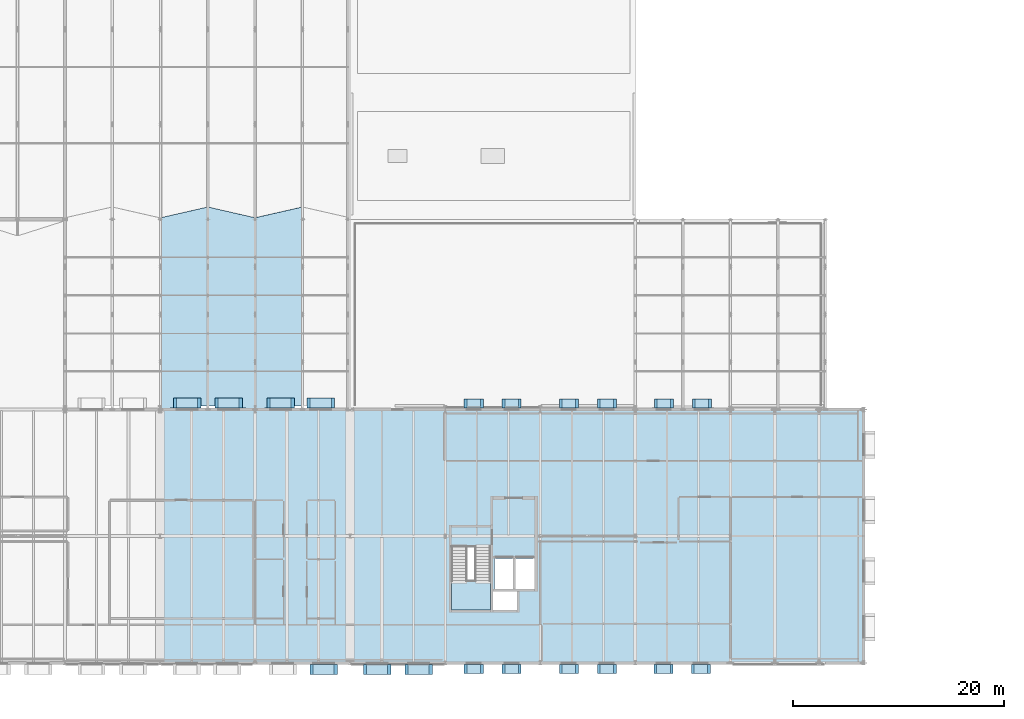
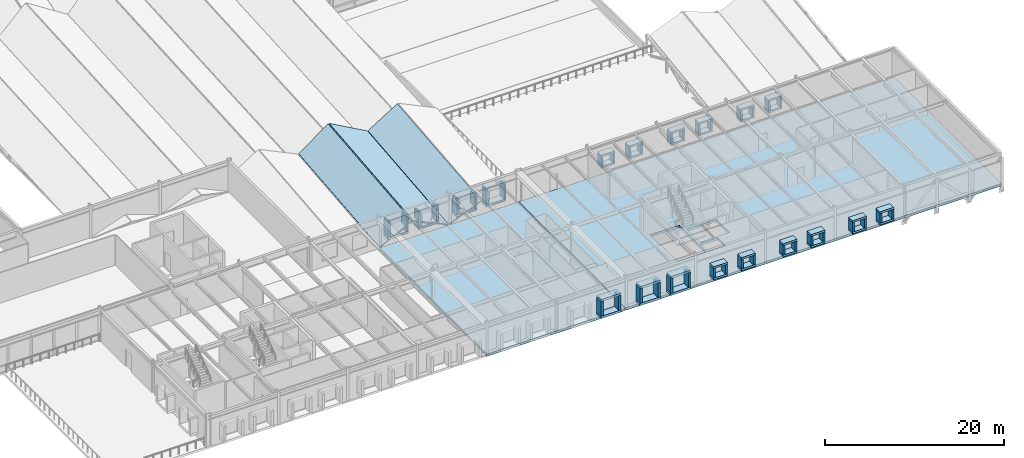
# One storey, part 104 of 142: 76 plates, 6 slabs, 2 elements without a shape of their own.
"""IFC4 building model written with IfcOpenShell, lengths in metres."""

from ifc_helpers import new_model, si_unit, direction, frame, origin, origin_2d, place, context, subcontext, project, spatial, polyline, rectangle, outline, extrude, material, layer, layer_set, type_object, element, aggregate, save


model = new_model("IFC4")

# Units and contexts
model_context = context("Model", 3, precision=1e-05, world=origin(), true_north=direction((0.0, 1.0)))
body_context = subcontext(model_context, "Body", "Model", "MODEL_VIEW")
ifc_project = project(units=[si_unit("LENGTHUNIT", "METRE"), si_unit("AREAUNIT", "SQUARE_METRE"), si_unit("VOLUMEUNIT", "CUBIC_METRE"), si_unit("PLANEANGLEUNIT", "RADIAN"), si_unit("MASSUNIT", "GRAM", prefix="KILO")], contexts=[model_context])

# Site, building, storey
site_placement = place(None, origin())
site = spatial("IfcSite", under=ifc_project, at=site_placement, CompositionType="ELEMENT")
building_placement = place(site_placement, origin())
building = spatial("IfcBuilding", under=site, at=building_placement, Name="Montelvaro Courts of Justice", CompositionType="ELEMENT")
storey_placement = place(building_placement, frame((0.0, 0.0, 14.39990234375)))
storey = spatial("IfcBuildingStorey", under=building, at=storey_placement, Name="L03", CompositionType="ELEMENT", Elevation=14.39990234375)

# Slabs
ifc_material_1 = material(Name="Concrete C35/45", Category="concrete")
ifc_layer_1 = layer(ifc_material_1, 0.320068359375)
ifc_layer_set_1 = layer_set([ifc_layer_1], Name="Concrete C35/45")
slab_type_1 = type_object("IfcSlabType", Name="FloorSlab_V5_320", PredefinedType="FLOOR", material=ifc_layer_set_1)
slab_1_placement = place(storey_placement, frame((0.0, 0.0, -0.31982421875)))
element("IfcSlab", 1, at=slab_1_placement, inside=storey, type_object=slab_type_1, Name="Structural Slab SF-05 L03", PredefinedType="FLOOR", context=body_context, shape_type="SweptSolid", body=[
    extrude(outline(polyline([(81.050048828125, 0.0), (98.949951171875, 0.0), (98.949951171875, 24.0), (81.050048828125, 24.0), (81.050048828125, 0.0)])), origin(), (0.0, 0.0, 1.0), 0.31982421875),
])
slab_2_placement = place(storey_placement, frame((0.0, 0.0, -0.31982421875)))
element("IfcSlab", 2, at=slab_2_placement, inside=storey, type_object=slab_type_1, Name="Structural Slab SF-05 L03", PredefinedType="FLOOR", context=body_context, shape_type="SweptSolid", body=[
    extrude(outline(polyline([(99.050048828125, 0.0), (147.60009765625, 0.0), (147.60009765625, 24.0), (99.050048828125, 24.0), (99.050048828125, 0.0)]), holes=[polyline([(108.60009765625, 5.0), (112.300048828125, 5.0), (112.300048828125, 11.0), (108.60009765625, 11.0), (108.60009765625, 5.0)]), polyline([(112.5400390625, 5.0), (114.800048828125, 5.0), (114.800048828125, 6.760009765625), (112.5400390625, 6.760009765625), (112.5400390625, 5.0)]), polyline([(112.64990234375, 7.0), (114.5, 7.0), (114.5, 9.89990234375), (112.64990234375, 9.89990234375), (112.64990234375, 7.0)]), polyline([(114.60009765625, 7.0), (116.449951171875, 7.0), (116.449951171875, 9.89990234375), (114.60009765625, 9.89990234375), (114.60009765625, 7.0)])]), origin(), (0.0, 0.0, 1.0), 0.31982421875),
])

# Plates
ifc_material_2 = material(Name="White mineral precast concrete C45/55", Category="concrete")
ifc_layer_2 = layer(ifc_material_2, 0.25)
ifc_layer_set_2 = layer_set([ifc_layer_2], Name="White mineral precast concrete C45/55")
plate_type_1 = type_object("IfcPlateType", Name="PrecastSquareFrame_250x850", PredefinedType="SHEET", material=ifc_layer_set_2)
for number, where, z_axis, x_axis, name in (
    (3, (110.702880859375, -0.570068359375, 2.2001953125), (0.0, 0.0, 1.0), (1.0, 0.0, 0.0), "Graduated Square Window Frame PF-03 W-L03-171 TOP"),
    (4, (110.702880859375, -0.570068359375, 0.650146484375), (0.0, 0.0, 1.0), (1.0, 0.0, 0.0), "Graduated Square Window Frame PF-03 W-L03-171 BOT"),
):
    element("IfcPlate", number, at=place(storey_placement, frame(where, z_axis=z_axis, x_axis=x_axis)), inside=storey, type_object=plate_type_1, Name=name, PredefinedType="SHEET", context=body_context, shape_type="SweptSolid", body=[
        extrude(rectangle(XDim=1.800048828125, YDim=0.860107421875, at=origin_2d()), origin(), (0.0, 0.0, 1.0), 0.25),
    ])
for number, where, z_axis, x_axis, name in (
    (5, (109.927978515625, -0.570068359375, 0.89990234375), (0.0, 0.0, 1.0), (1.0, 0.0, 0.0), "Graduated Square Window Frame PF-03 W-L03-171 L"),
    (6, (111.47802734375, -0.570068359375, 0.89990234375), (0.0, 0.0, 1.0), (1.0, 0.0, 0.0), "Graduated Square Window Frame PF-03 W-L03-171 R"),
):
    element("IfcPlate", number, at=place(storey_placement, frame(where, z_axis=z_axis, x_axis=x_axis)), inside=storey, type_object=plate_type_1, Name=name, PredefinedType="SHEET", context=body_context, shape_type="SweptSolid", body=[
        extrude(rectangle(XDim=0.25, YDim=0.860107421875, at=origin_2d()), origin(), (0.0, 0.0, 1.0), 1.300048828125),
    ])
for number, where, z_axis, x_axis, name in (
    (7, (114.297119140625, -0.570068359375, 2.2001953125), (0.0, 0.0, 1.0), (1.0, 0.0, 0.0), "Graduated Square Window Frame PF-03 W-L03-172 TOP"),
    (8, (114.297119140625, -0.570068359375, 0.650146484375), (0.0, 0.0, 1.0), (1.0, 0.0, 0.0), "Graduated Square Window Frame PF-03 W-L03-172 BOT"),
):
    element("IfcPlate", number, at=place(storey_placement, frame(where, z_axis=z_axis, x_axis=x_axis)), inside=storey, type_object=plate_type_1, Name=name, PredefinedType="SHEET", context=body_context, shape_type="SweptSolid", body=[
        extrude(rectangle(XDim=1.800048828125, YDim=0.860107421875, at=origin_2d()), origin(), (0.0, 0.0, 1.0), 0.25),
    ])
for number, where, z_axis, x_axis, name in (
    (9, (113.52197265625, -0.570068359375, 0.89990234375), (0.0, 0.0, 1.0), (1.0, 0.0, 0.0), "Graduated Square Window Frame PF-03 W-L03-172 L"),
    (10, (115.072021484375, -0.570068359375, 0.89990234375), (0.0, 0.0, 1.0), (1.0, 0.0, 0.0), "Graduated Square Window Frame PF-03 W-L03-172 R"),
):
    element("IfcPlate", number, at=place(storey_placement, frame(where, z_axis=z_axis, x_axis=x_axis)), inside=storey, type_object=plate_type_1, Name=name, PredefinedType="SHEET", context=body_context, shape_type="SweptSolid", body=[
        extrude(rectangle(XDim=0.25, YDim=0.860107421875, at=origin_2d()), origin(), (0.0, 0.0, 1.0), 1.300048828125),
    ])
for number, where, z_axis, x_axis, name in (
    (11, (119.702880859375, -0.570068359375, 2.2001953125), (0.0, 0.0, 1.0), (1.0, 0.0, 0.0), "Graduated Square Window Frame PF-03 W-L03-173 TOP"),
    (12, (119.702880859375, -0.570068359375, 0.650146484375), (0.0, 0.0, 1.0), (1.0, 0.0, 0.0), "Graduated Square Window Frame PF-03 W-L03-173 BOT"),
):
    element("IfcPlate", number, at=place(storey_placement, frame(where, z_axis=z_axis, x_axis=x_axis)), inside=storey, type_object=plate_type_1, Name=name, PredefinedType="SHEET", context=body_context, shape_type="SweptSolid", body=[
        extrude(rectangle(XDim=1.800048828125, YDim=0.860107421875, at=origin_2d()), origin(), (0.0, 0.0, 1.0), 0.25),
    ])
for number, where, z_axis, x_axis, name in (
    (13, (118.927978515625, -0.570068359375, 0.89990234375), (0.0, 0.0, 1.0), (1.0, 0.0, 0.0), "Graduated Square Window Frame PF-03 W-L03-173 L"),
    (14, (120.47802734375, -0.570068359375, 0.89990234375), (0.0, 0.0, 1.0), (1.0, 0.0, 0.0), "Graduated Square Window Frame PF-03 W-L03-173 R"),
):
    element("IfcPlate", number, at=place(storey_placement, frame(where, z_axis=z_axis, x_axis=x_axis)), inside=storey, type_object=plate_type_1, Name=name, PredefinedType="SHEET", context=body_context, shape_type="SweptSolid", body=[
        extrude(rectangle(XDim=0.25, YDim=0.860107421875, at=origin_2d()), origin(), (0.0, 0.0, 1.0), 1.300048828125),
    ])
for number, where, z_axis, x_axis, name in (
    (15, (123.297119140625, -0.570068359375, 2.2001953125), (0.0, 0.0, 1.0), (1.0, 0.0, 0.0), "Graduated Square Window Frame PF-03 W-L03-174 TOP"),
    (16, (123.297119140625, -0.570068359375, 0.650146484375), (0.0, 0.0, 1.0), (1.0, 0.0, 0.0), "Graduated Square Window Frame PF-03 W-L03-174 BOT"),
):
    element("IfcPlate", number, at=place(storey_placement, frame(where, z_axis=z_axis, x_axis=x_axis)), inside=storey, type_object=plate_type_1, Name=name, PredefinedType="SHEET", context=body_context, shape_type="SweptSolid", body=[
        extrude(rectangle(XDim=1.800048828125, YDim=0.860107421875, at=origin_2d()), origin(), (0.0, 0.0, 1.0), 0.25),
    ])
for number, where, z_axis, x_axis, name in (
    (17, (122.52197265625, -0.570068359375, 0.89990234375), (0.0, 0.0, 1.0), (1.0, 0.0, 0.0), "Graduated Square Window Frame PF-03 W-L03-174 L"),
    (18, (124.072021484375, -0.570068359375, 0.89990234375), (0.0, 0.0, 1.0), (1.0, 0.0, 0.0), "Graduated Square Window Frame PF-03 W-L03-174 R"),
):
    element("IfcPlate", number, at=place(storey_placement, frame(where, z_axis=z_axis, x_axis=x_axis)), inside=storey, type_object=plate_type_1, Name=name, PredefinedType="SHEET", context=body_context, shape_type="SweptSolid", body=[
        extrude(rectangle(XDim=0.25, YDim=0.860107421875, at=origin_2d()), origin(), (0.0, 0.0, 1.0), 1.300048828125),
    ])
for number, where, z_axis, x_axis, name in (
    (19, (128.660888671875, -0.570068359375, 2.2001953125), (0.0, 0.0, 1.0), (1.0, 0.0, 0.0), "Graduated Square Window Frame PF-03 W-L03-175 TOP"),
    (20, (128.660888671875, -0.570068359375, 0.650146484375), (0.0, 0.0, 1.0), (1.0, 0.0, 0.0), "Graduated Square Window Frame PF-03 W-L03-175 BOT"),
):
    element("IfcPlate", number, at=place(storey_placement, frame(where, z_axis=z_axis, x_axis=x_axis)), inside=storey, type_object=plate_type_1, Name=name, PredefinedType="SHEET", context=body_context, shape_type="SweptSolid", body=[
        extrude(rectangle(XDim=1.800048828125, YDim=0.860107421875, at=origin_2d()), origin(), (0.0, 0.0, 1.0), 0.25),
    ])
for number, where, z_axis, x_axis, name in (
    (21, (127.885986328125, -0.570068359375, 0.89990234375), (0.0, 0.0, 1.0), (1.0, 0.0, 0.0), "Graduated Square Window Frame PF-03 W-L03-175 L"),
    (22, (129.43603515625, -0.570068359375, 0.89990234375), (0.0, 0.0, 1.0), (1.0, 0.0, 0.0), "Graduated Square Window Frame PF-03 W-L03-175 R"),
):
    element("IfcPlate", number, at=place(storey_placement, frame(where, z_axis=z_axis, x_axis=x_axis)), inside=storey, type_object=plate_type_1, Name=name, PredefinedType="SHEET", context=body_context, shape_type="SweptSolid", body=[
        extrude(rectangle(XDim=0.25, YDim=0.860107421875, at=origin_2d()), origin(), (0.0, 0.0, 1.0), 1.300048828125),
    ])
for number, where, z_axis, x_axis, name in (
    (23, (132.198974609375, -0.570068359375, 2.2001953125), (0.0, 0.0, 1.0), (1.0, 0.0, 0.0), "Graduated Square Window Frame PF-03 W-L03-176 TOP"),
    (24, (132.198974609375, -0.570068359375, 0.650146484375), (0.0, 0.0, 1.0), (1.0, 0.0, 0.0), "Graduated Square Window Frame PF-03 W-L03-176 BOT"),
):
    element("IfcPlate", number, at=place(storey_placement, frame(where, z_axis=z_axis, x_axis=x_axis)), inside=storey, type_object=plate_type_1, Name=name, PredefinedType="SHEET", context=body_context, shape_type="SweptSolid", body=[
        extrude(rectangle(XDim=1.800048828125, YDim=0.860107421875, at=origin_2d()), origin(), (0.0, 0.0, 1.0), 0.25),
    ])
for number, where, z_axis, x_axis, name in (
    (25, (131.424072265625, -0.570068359375, 0.89990234375), (0.0, 0.0, 1.0), (1.0, 0.0, 0.0), "Graduated Square Window Frame PF-03 W-L03-176 L"),
    (26, (132.97412109375, -0.570068359375, 0.89990234375), (0.0, 0.0, 1.0), (1.0, 0.0, 0.0), "Graduated Square Window Frame PF-03 W-L03-176 R"),
):
    element("IfcPlate", number, at=place(storey_placement, frame(where, z_axis=z_axis, x_axis=x_axis)), inside=storey, type_object=plate_type_1, Name=name, PredefinedType="SHEET", context=body_context, shape_type="SweptSolid", body=[
        extrude(rectangle(XDim=0.25, YDim=0.860107421875, at=origin_2d()), origin(), (0.0, 0.0, 1.0), 1.300048828125),
    ])
for number, where, z_axis, x_axis, name in (
    (27, (132.297119140625, 24.570068359375, 2.2001953125), (0.0, 0.0, 1.0), (-1.0, 0.0, 0.0), "Graduated Square Window Frame PF-03 W-L03-181 TOP"),
    (28, (132.297119140625, 24.570068359375, 0.650146484375), (0.0, 0.0, 1.0), (-1.0, 0.0, 0.0), "Graduated Square Window Frame PF-03 W-L03-181 BOT"),
):
    element("IfcPlate", number, at=place(storey_placement, frame(where, z_axis=z_axis, x_axis=x_axis)), inside=storey, type_object=plate_type_1, Name=name, PredefinedType="SHEET", context=body_context, shape_type="SweptSolid", body=[
        extrude(rectangle(XDim=1.800048828125, YDim=0.860107421875, at=origin_2d()), origin(), (0.0, 0.0, 1.0), 0.25),
    ])
for number, where, z_axis, x_axis, name in (
    (29, (133.072021484375, 24.570068359375, 0.89990234375), (0.0, 0.0, 1.0), (-1.0, 0.0, 0.0), "Graduated Square Window Frame PF-03 W-L03-181 L"),
    (30, (131.52197265625, 24.570068359375, 0.89990234375), (0.0, 0.0, 1.0), (-1.0, 0.0, 0.0), "Graduated Square Window Frame PF-03 W-L03-181 R"),
):
    element("IfcPlate", number, at=place(storey_placement, frame(where, z_axis=z_axis, x_axis=x_axis)), inside=storey, type_object=plate_type_1, Name=name, PredefinedType="SHEET", context=body_context, shape_type="SweptSolid", body=[
        extrude(rectangle(XDim=0.25, YDim=0.860107421875, at=origin_2d()), origin(), (0.0, 0.0, 1.0), 1.300048828125),
    ])
for number, where, z_axis, x_axis, name in (
    (31, (128.702880859375, 24.570068359375, 2.2001953125), (0.0, 0.0, 1.0), (-1.0, 0.0, 0.0), "Graduated Square Window Frame PF-03 W-L03-182 TOP"),
    (32, (128.702880859375, 24.570068359375, 0.650146484375), (0.0, 0.0, 1.0), (-1.0, 0.0, 0.0), "Graduated Square Window Frame PF-03 W-L03-182 BOT"),
):
    element("IfcPlate", number, at=place(storey_placement, frame(where, z_axis=z_axis, x_axis=x_axis)), inside=storey, type_object=plate_type_1, Name=name, PredefinedType="SHEET", context=body_context, shape_type="SweptSolid", body=[
        extrude(rectangle(XDim=1.800048828125, YDim=0.860107421875, at=origin_2d()), origin(), (0.0, 0.0, 1.0), 0.25),
    ])
for number, where, z_axis, x_axis, name in (
    (33, (129.47802734375, 24.570068359375, 0.89990234375), (0.0, 0.0, 1.0), (-1.0, 0.0, 0.0), "Graduated Square Window Frame PF-03 W-L03-182 L"),
    (34, (127.927978515625, 24.570068359375, 0.89990234375), (0.0, 0.0, 1.0), (-1.0, 0.0, 0.0), "Graduated Square Window Frame PF-03 W-L03-182 R"),
):
    element("IfcPlate", number, at=place(storey_placement, frame(where, z_axis=z_axis, x_axis=x_axis)), inside=storey, type_object=plate_type_1, Name=name, PredefinedType="SHEET", context=body_context, shape_type="SweptSolid", body=[
        extrude(rectangle(XDim=0.25, YDim=0.860107421875, at=origin_2d()), origin(), (0.0, 0.0, 1.0), 1.300048828125),
    ])
for number, where, z_axis, x_axis, name in (
    (35, (123.297119140625, 24.570068359375, 2.2001953125), (0.0, 0.0, 1.0), (-1.0, 0.0, 0.0), "Graduated Square Window Frame PF-03 W-L03-183 TOP"),
    (36, (123.297119140625, 24.570068359375, 0.650146484375), (0.0, 0.0, 1.0), (-1.0, 0.0, 0.0), "Graduated Square Window Frame PF-03 W-L03-183 BOT"),
):
    element("IfcPlate", number, at=place(storey_placement, frame(where, z_axis=z_axis, x_axis=x_axis)), inside=storey, type_object=plate_type_1, Name=name, PredefinedType="SHEET", context=body_context, shape_type="SweptSolid", body=[
        extrude(rectangle(XDim=1.800048828125, YDim=0.860107421875, at=origin_2d()), origin(), (0.0, 0.0, 1.0), 0.25),
    ])
for number, where, z_axis, x_axis, name in (
    (37, (124.072021484375, 24.570068359375, 0.89990234375), (0.0, 0.0, 1.0), (-1.0, 0.0, 0.0), "Graduated Square Window Frame PF-03 W-L03-183 L"),
    (38, (122.52197265625, 24.570068359375, 0.89990234375), (0.0, 0.0, 1.0), (-1.0, 0.0, 0.0), "Graduated Square Window Frame PF-03 W-L03-183 R"),
):
    element("IfcPlate", number, at=place(storey_placement, frame(where, z_axis=z_axis, x_axis=x_axis)), inside=storey, type_object=plate_type_1, Name=name, PredefinedType="SHEET", context=body_context, shape_type="SweptSolid", body=[
        extrude(rectangle(XDim=0.25, YDim=0.860107421875, at=origin_2d()), origin(), (0.0, 0.0, 1.0), 1.300048828125),
    ])
for number, where, z_axis, x_axis, name in (
    (39, (119.702880859375, 24.570068359375, 2.2001953125), (0.0, 0.0, 1.0), (-1.0, 0.0, 0.0), "Graduated Square Window Frame PF-03 W-L03-184 TOP"),
    (40, (119.702880859375, 24.570068359375, 0.650146484375), (0.0, 0.0, 1.0), (-1.0, 0.0, 0.0), "Graduated Square Window Frame PF-03 W-L03-184 BOT"),
):
    element("IfcPlate", number, at=place(storey_placement, frame(where, z_axis=z_axis, x_axis=x_axis)), inside=storey, type_object=plate_type_1, Name=name, PredefinedType="SHEET", context=body_context, shape_type="SweptSolid", body=[
        extrude(rectangle(XDim=1.800048828125, YDim=0.860107421875, at=origin_2d()), origin(), (0.0, 0.0, 1.0), 0.25),
    ])
for number, where, z_axis, x_axis, name in (
    (41, (120.47802734375, 24.570068359375, 0.89990234375), (0.0, 0.0, 1.0), (-1.0, 0.0, 0.0), "Graduated Square Window Frame PF-03 W-L03-184 L"),
    (42, (118.927978515625, 24.570068359375, 0.89990234375), (0.0, 0.0, 1.0), (-1.0, 0.0, 0.0), "Graduated Square Window Frame PF-03 W-L03-184 R"),
):
    element("IfcPlate", number, at=place(storey_placement, frame(where, z_axis=z_axis, x_axis=x_axis)), inside=storey, type_object=plate_type_1, Name=name, PredefinedType="SHEET", context=body_context, shape_type="SweptSolid", body=[
        extrude(rectangle(XDim=0.25, YDim=0.860107421875, at=origin_2d()), origin(), (0.0, 0.0, 1.0), 1.300048828125),
    ])
for number, where, z_axis, x_axis, name in (
    (43, (114.297119140625, 24.570068359375, 2.2001953125), (0.0, 0.0, 1.0), (-1.0, 0.0, 0.0), "Graduated Square Window Frame PF-03 W-L03-185 TOP"),
    (44, (114.297119140625, 24.570068359375, 0.650146484375), (0.0, 0.0, 1.0), (-1.0, 0.0, 0.0), "Graduated Square Window Frame PF-03 W-L03-185 BOT"),
):
    element("IfcPlate", number, at=place(storey_placement, frame(where, z_axis=z_axis, x_axis=x_axis)), inside=storey, type_object=plate_type_1, Name=name, PredefinedType="SHEET", context=body_context, shape_type="SweptSolid", body=[
        extrude(rectangle(XDim=1.800048828125, YDim=0.860107421875, at=origin_2d()), origin(), (0.0, 0.0, 1.0), 0.25),
    ])
for number, where, z_axis, x_axis, name in (
    (45, (115.072021484375, 24.570068359375, 0.89990234375), (0.0, 0.0, 1.0), (-1.0, 0.0, 0.0), "Graduated Square Window Frame PF-03 W-L03-185 L"),
    (46, (113.52197265625, 24.570068359375, 0.89990234375), (0.0, 0.0, 1.0), (-1.0, 0.0, 0.0), "Graduated Square Window Frame PF-03 W-L03-185 R"),
):
    element("IfcPlate", number, at=place(storey_placement, frame(where, z_axis=z_axis, x_axis=x_axis)), inside=storey, type_object=plate_type_1, Name=name, PredefinedType="SHEET", context=body_context, shape_type="SweptSolid", body=[
        extrude(rectangle(XDim=0.25, YDim=0.860107421875, at=origin_2d()), origin(), (0.0, 0.0, 1.0), 1.300048828125),
    ])
for number, where, z_axis, x_axis, name in (
    (47, (110.702880859375, 24.570068359375, 2.2001953125), (0.0, 0.0, 1.0), (-1.0, 0.0, 0.0), "Graduated Square Window Frame PF-03 W-L03-186 TOP"),
    (48, (110.702880859375, 24.570068359375, 0.650146484375), (0.0, 0.0, 1.0), (-1.0, 0.0, 0.0), "Graduated Square Window Frame PF-03 W-L03-186 BOT"),
):
    element("IfcPlate", number, at=place(storey_placement, frame(where, z_axis=z_axis, x_axis=x_axis)), inside=storey, type_object=plate_type_1, Name=name, PredefinedType="SHEET", context=body_context, shape_type="SweptSolid", body=[
        extrude(rectangle(XDim=1.800048828125, YDim=0.860107421875, at=origin_2d()), origin(), (0.0, 0.0, 1.0), 0.25),
    ])
for number, where, z_axis, x_axis, name in (
    (49, (111.47802734375, 24.570068359375, 0.89990234375), (0.0, 0.0, 1.0), (-1.0, 0.0, 0.0), "Graduated Square Window Frame PF-03 W-L03-186 L"),
    (50, (109.927978515625, 24.570068359375, 0.89990234375), (0.0, 0.0, 1.0), (-1.0, 0.0, 0.0), "Graduated Square Window Frame PF-03 W-L03-186 R"),
):
    element("IfcPlate", number, at=place(storey_placement, frame(where, z_axis=z_axis, x_axis=x_axis)), inside=storey, type_object=plate_type_1, Name=name, PredefinedType="SHEET", context=body_context, shape_type="SweptSolid", body=[
        extrude(rectangle(XDim=0.25, YDim=0.860107421875, at=origin_2d()), origin(), (0.0, 0.0, 1.0), 1.300048828125),
    ])
ifc_layer_3 = layer(ifc_material_2, 0.300048828125)
ifc_layer_set_3 = layer_set([ifc_layer_3], Name="White mineral precast concrete C45/55")
plate_type_2 = type_object("IfcPlateType", Name="PrecastSquareFrame_300x950", PredefinedType="SHEET", material=ifc_layer_set_3)
for number, where, z_axis, x_axis, name in (
    (51, (96.488037109375, -0.6201171875, 2.85009765625), (0.0, 0.0, 1.0), (1.0, 0.0, 0.0), "Graduated Square Window Frame PF-02 W-L03-164 TOP"),
    (52, (96.488037109375, -0.6201171875, 0.55029296875), (0.0, 0.0, 1.0), (1.0, 0.0, 0.0), "Graduated Square Window Frame PF-02 W-L03-164 BOT"),
):
    element("IfcPlate", number, at=place(storey_placement, frame(where, z_axis=z_axis, x_axis=x_axis)), inside=storey, type_object=plate_type_2, Name=name, PredefinedType="SHEET", context=body_context, shape_type="SweptSolid", body=[
        extrude(rectangle(XDim=2.60009765625, YDim=0.9599609375, at=origin_2d()), origin(), (0.0, 0.0, 1.0), 0.300048828125),
    ])
for number, where, z_axis, x_axis, name in (
    (53, (95.337890625, -0.6201171875, 0.85009765625), (0.0, 0.0, 1.0), (1.0, 0.0, 0.0), "Graduated Square Window Frame PF-02 W-L03-164 L"),
    (54, (97.637939453125, -0.6201171875, 0.85009765625), (0.0, 0.0, 1.0), (1.0, 0.0, 0.0), "Graduated Square Window Frame PF-02 W-L03-164 R"),
):
    element("IfcPlate", number, at=place(storey_placement, frame(where, z_axis=z_axis, x_axis=x_axis)), inside=storey, type_object=plate_type_2, Name=name, PredefinedType="SHEET", context=body_context, shape_type="SweptSolid", body=[
        extrude(rectangle(XDim=0.300048828125, YDim=0.9599609375, at=origin_2d()), origin(), (0.0, 0.0, 1.0), 2.0),
    ])
for number, where, z_axis, x_axis, name in (
    (55, (96.214111328125, 24.6201171875, 2.85009765625), (0.0, 0.0, 1.0), (-1.0, 0.0, 0.0), "Graduated Square Window Frame PF-02 W-L03-165 TOP"),
    (56, (96.214111328125, 24.6201171875, 0.55029296875), (0.0, 0.0, 1.0), (-1.0, 0.0, 0.0), "Graduated Square Window Frame PF-02 W-L03-165 BOT"),
):
    element("IfcPlate", number, at=place(storey_placement, frame(where, z_axis=z_axis, x_axis=x_axis)), inside=storey, type_object=plate_type_2, Name=name, PredefinedType="SHEET", context=body_context, shape_type="SweptSolid", body=[
        extrude(rectangle(XDim=2.60009765625, YDim=0.9599609375, at=origin_2d()), origin(), (0.0, 0.0, 1.0), 0.300048828125),
    ])
for number, where, z_axis, x_axis, name in (
    (57, (97.364013671875, 24.6201171875, 0.85009765625), (0.0, 0.0, 1.0), (-1.0, 0.0, 0.0), "Graduated Square Window Frame PF-02 W-L03-165 L"),
    (58, (95.06396484375, 24.6201171875, 0.85009765625), (0.0, 0.0, 1.0), (-1.0, 0.0, 0.0), "Graduated Square Window Frame PF-02 W-L03-165 R"),
):
    element("IfcPlate", number, at=place(storey_placement, frame(where, z_axis=z_axis, x_axis=x_axis)), inside=storey, type_object=plate_type_2, Name=name, PredefinedType="SHEET", context=body_context, shape_type="SweptSolid", body=[
        extrude(rectangle(XDim=0.300048828125, YDim=0.9599609375, at=origin_2d()), origin(), (0.0, 0.0, 1.0), 2.0),
    ])
for number, where, z_axis, x_axis, name in (
    (59, (92.4208984375, 24.6201171875, 2.85009765625), (0.0, 0.0, 1.0), (-1.0, 0.0, 0.0), "Graduated Square Window Frame PF-02 W-L03-166 TOP"),
    (60, (92.4208984375, 24.6201171875, 0.55029296875), (0.0, 0.0, 1.0), (-1.0, 0.0, 0.0), "Graduated Square Window Frame PF-02 W-L03-166 BOT"),
):
    element("IfcPlate", number, at=place(storey_placement, frame(where, z_axis=z_axis, x_axis=x_axis)), inside=storey, type_object=plate_type_2, Name=name, PredefinedType="SHEET", context=body_context, shape_type="SweptSolid", body=[
        extrude(rectangle(XDim=2.60009765625, YDim=0.9599609375, at=origin_2d()), origin(), (0.0, 0.0, 1.0), 0.300048828125),
    ])
for number, where, z_axis, x_axis, name in (
    (61, (93.571044921875, 24.6201171875, 0.85009765625), (0.0, 0.0, 1.0), (-1.0, 0.0, 0.0), "Graduated Square Window Frame PF-02 W-L03-166 L"),
    (62, (91.27099609375, 24.6201171875, 0.85009765625), (0.0, 0.0, 1.0), (-1.0, 0.0, 0.0), "Graduated Square Window Frame PF-02 W-L03-166 R"),
):
    element("IfcPlate", number, at=place(storey_placement, frame(where, z_axis=z_axis, x_axis=x_axis)), inside=storey, type_object=plate_type_2, Name=name, PredefinedType="SHEET", context=body_context, shape_type="SweptSolid", body=[
        extrude(rectangle(XDim=0.300048828125, YDim=0.9599609375, at=origin_2d()), origin(), (0.0, 0.0, 1.0), 2.0),
    ])
for number, where, z_axis, x_axis, name in (
    (63, (87.489990234375, 24.6201171875, 2.85009765625), (0.0, 0.0, 1.0), (-1.0, 0.0, 0.0), "Graduated Square Window Frame PF-02 W-L03-167 TOP"),
    (64, (87.489990234375, 24.6201171875, 0.55029296875), (0.0, 0.0, 1.0), (-1.0, 0.0, 0.0), "Graduated Square Window Frame PF-02 W-L03-167 BOT"),
):
    element("IfcPlate", number, at=place(storey_placement, frame(where, z_axis=z_axis, x_axis=x_axis)), inside=storey, type_object=plate_type_2, Name=name, PredefinedType="SHEET", context=body_context, shape_type="SweptSolid", body=[
        extrude(rectangle(XDim=2.60009765625, YDim=0.9599609375, at=origin_2d()), origin(), (0.0, 0.0, 1.0), 0.300048828125),
    ])
for number, where, z_axis, x_axis, name in (
    (65, (88.639892578125, 24.6201171875, 0.85009765625), (0.0, 0.0, 1.0), (-1.0, 0.0, 0.0), "Graduated Square Window Frame PF-02 W-L03-167 L"),
    (66, (86.340087890625, 24.6201171875, 0.85009765625), (0.0, 0.0, 1.0), (-1.0, 0.0, 0.0), "Graduated Square Window Frame PF-02 W-L03-167 R"),
):
    element("IfcPlate", number, at=place(storey_placement, frame(where, z_axis=z_axis, x_axis=x_axis)), inside=storey, type_object=plate_type_2, Name=name, PredefinedType="SHEET", context=body_context, shape_type="SweptSolid", body=[
        extrude(rectangle(XDim=0.300048828125, YDim=0.9599609375, at=origin_2d()), origin(), (0.0, 0.0, 1.0), 2.0),
    ])
for number, where, z_axis, x_axis, name in (
    (67, (83.56005859375, 24.6201171875, 2.85009765625), (0.0, 0.0, 1.0), (-1.0, 0.0, 0.0), "Graduated Square Window Frame PF-02 W-L03-168 TOP"),
    (68, (83.56005859375, 24.6201171875, 0.55029296875), (0.0, 0.0, 1.0), (-1.0, 0.0, 0.0), "Graduated Square Window Frame PF-02 W-L03-168 BOT"),
):
    element("IfcPlate", number, at=place(storey_placement, frame(where, z_axis=z_axis, x_axis=x_axis)), inside=storey, type_object=plate_type_2, Name=name, PredefinedType="SHEET", context=body_context, shape_type="SweptSolid", body=[
        extrude(rectangle(XDim=2.60009765625, YDim=0.9599609375, at=origin_2d()), origin(), (0.0, 0.0, 1.0), 0.300048828125),
    ])
for number, where, z_axis, x_axis, name in (
    (69, (84.7099609375, 24.6201171875, 0.85009765625), (0.0, 0.0, 1.0), (-1.0, 0.0, 0.0), "Graduated Square Window Frame PF-02 W-L03-168 L"),
    (70, (82.409912109375, 24.6201171875, 0.85009765625), (0.0, 0.0, 1.0), (-1.0, 0.0, 0.0), "Graduated Square Window Frame PF-02 W-L03-168 R"),
):
    element("IfcPlate", number, at=place(storey_placement, frame(where, z_axis=z_axis, x_axis=x_axis)), inside=storey, type_object=plate_type_2, Name=name, PredefinedType="SHEET", context=body_context, shape_type="SweptSolid", body=[
        extrude(rectangle(XDim=0.300048828125, YDim=0.9599609375, at=origin_2d()), origin(), (0.0, 0.0, 1.0), 2.0),
    ])
for number, where, z_axis, x_axis, name in (
    (71, (101.56005859375, -0.6201171875, 2.85009765625), (0.0, 0.0, 1.0), (1.0, 0.0, 0.0), "Graduated Square Window Frame PF-02 W-L03-169 TOP"),
    (72, (101.56005859375, -0.6201171875, 0.55029296875), (0.0, 0.0, 1.0), (1.0, 0.0, 0.0), "Graduated Square Window Frame PF-02 W-L03-169 BOT"),
):
    element("IfcPlate", number, at=place(storey_placement, frame(where, z_axis=z_axis, x_axis=x_axis)), inside=storey, type_object=plate_type_2, Name=name, PredefinedType="SHEET", context=body_context, shape_type="SweptSolid", body=[
        extrude(rectangle(XDim=2.60009765625, YDim=0.9599609375, at=origin_2d()), origin(), (0.0, 0.0, 1.0), 0.300048828125),
    ])
for number, where, z_axis, x_axis, name in (
    (73, (100.409912109375, -0.6201171875, 0.85009765625), (0.0, 0.0, 1.0), (1.0, 0.0, 0.0), "Graduated Square Window Frame PF-02 W-L03-169 L"),
    (74, (102.7099609375, -0.6201171875, 0.85009765625), (0.0, 0.0, 1.0), (1.0, 0.0, 0.0), "Graduated Square Window Frame PF-02 W-L03-169 R"),
):
    element("IfcPlate", number, at=place(storey_placement, frame(where, z_axis=z_axis, x_axis=x_axis)), inside=storey, type_object=plate_type_2, Name=name, PredefinedType="SHEET", context=body_context, shape_type="SweptSolid", body=[
        extrude(rectangle(XDim=0.300048828125, YDim=0.9599609375, at=origin_2d()), origin(), (0.0, 0.0, 1.0), 2.0),
    ])
for number, where, z_axis, x_axis, name in (
    (75, (105.489990234375, -0.6201171875, 2.85009765625), (0.0, 0.0, 1.0), (1.0, 0.0, 0.0), "Graduated Square Window Frame PF-02 W-L03-170 TOP"),
    (76, (105.489990234375, -0.6201171875, 0.55029296875), (0.0, 0.0, 1.0), (1.0, 0.0, 0.0), "Graduated Square Window Frame PF-02 W-L03-170 BOT"),
):
    element("IfcPlate", number, at=place(storey_placement, frame(where, z_axis=z_axis, x_axis=x_axis)), inside=storey, type_object=plate_type_2, Name=name, PredefinedType="SHEET", context=body_context, shape_type="SweptSolid", body=[
        extrude(rectangle(XDim=2.60009765625, YDim=0.9599609375, at=origin_2d()), origin(), (0.0, 0.0, 1.0), 0.300048828125),
    ])
for number, where, z_axis, x_axis, name in (
    (77, (104.340087890625, -0.6201171875, 0.85009765625), (0.0, 0.0, 1.0), (1.0, 0.0, 0.0), "Graduated Square Window Frame PF-02 W-L03-170 L"),
    (78, (106.639892578125, -0.6201171875, 0.85009765625), (0.0, 0.0, 1.0), (1.0, 0.0, 0.0), "Graduated Square Window Frame PF-02 W-L03-170 R"),
):
    element("IfcPlate", number, at=place(storey_placement, frame(where, z_axis=z_axis, x_axis=x_axis)), inside=storey, type_object=plate_type_2, Name=name, PredefinedType="SHEET", context=body_context, shape_type="SweptSolid", body=[
        extrude(rectangle(XDim=0.300048828125, YDim=0.9599609375, at=origin_2d()), origin(), (0.0, 0.0, 1.0), 2.0),
    ])

# Roof, slabs
ifc_material_3 = material(Name="Precast concrete C45/55", Category="concrete")
ifc_layer_4 = layer(ifc_material_3, 0.199951171875)
ifc_layer_set_4 = layer_set([ifc_layer_4], Name="Precast concrete C45/55")
roof_type = type_object("IfcRoofType", Name="PavilionFoldedRoof", PredefinedType="PAVILION_ROOF", material=ifc_layer_set_4)
roof_placement = place(storey_placement, origin())
roof = element("IfcRoof", 79, at=roof_placement, inside=storey, type_object=roof_type, Name="South Link Bridge Sculpted Canopy Roof V4", PredefinedType="PAVILION_ROOF")
ifc_layer_5 = layer(ifc_material_3, 0.14990234375)
ifc_layer_set_5 = layer_set([ifc_layer_5], Name="Precast concrete C45/55")
slab_type_2 = type_object("IfcSlabType", Name="RoofSlab_150", PredefinedType="ROOF", material=ifc_layer_set_5)
slab_3_placement = place(storey_placement, frame((81.070068359375, 24.050048828125, 0.013671875), z_axis=(-0.389182630124, -0.091652302236, 0.916589731507), x_axis=(0.916377083246, 0.062752475404, 0.395367130819)))
slab_3 = element("IfcSlab", 80, at=slab_3_placement, type_object=slab_type_2, Name="V4 Folded Roof Slab 2A", PredefinedType="ROOF", context=body_context, shape_type="SweptSolid", body=[
    extrude(outline(polyline([(0.0, 0.0), (4.781413574028495, -2.7755575615628914e-17), (6.704391729131586, 18.795445477311446), (1.8513517601988403, 18.095652027504908), (0.0, 0.0)])), origin(), (0.0, 0.0, -1.0), 0.14990234375),
])
slab_4_placement = place(storey_placement, frame((85.598388671875, 24.35009765625, 1.904052734375), z_axis=(0.389182630124, -0.091652302236, 0.916589731507), x_axis=(0.916377083246, -0.062752475404, -0.395367130819)))
slab_4 = element("IfcSlab", 81, at=slab_4_placement, type_object=slab_type_2, Name="V4 Folded Roof Slab 2B", PredefinedType="ROOF", context=body_context, shape_type="SweptSolid", body=[
    extrude(outline(polyline([(0.0, 0.0), (4.781413574028495, 2.7755575615628914e-17), (2.930061813829654, 18.09565202750491), (-1.9229781551030913, 18.795445477311446), (0.0, 0.0)])), origin(), (0.0, 0.0, -1.0), 0.14990234375),
])
slab_5_placement = place(storey_placement, frame((90.02001953125, 24.050048828125, 0.01171875), z_axis=(-0.316393339443, -0.094391404662, 0.943920291911), x_axis=(0.944218032787, 0.064499033104, 0.322943000062)))
slab_5 = element("IfcSlab", 82, at=slab_5_placement, type_object=slab_type_2, Name="V4 Folded Roof Slab 3A", PredefinedType="ROOF", context=body_context, shape_type="SweptSolid", body=[
    extrude(outline(polyline([(0.0, 0.0), (4.652107270499229, -1.249000902703301e-16), (6.471771490628641, 18.805728855760687), (1.751968803643058, 18.10556861036079), (0.0, 0.0)])), origin(), (0.0, 0.0, -1.0), 0.14990234375),
])
aggregate(roof, [slab_3, slab_4, slab_5])

# Stair, slab
stair_type = type_object("IfcStairType", Name="ProtectedStair_145", PredefinedType="HALF_TURN_STAIR", material=ifc_material_1)
stair_placement = place(storey_placement, origin())
stair = element("IfcStair", 83, at=stair_placement, inside=storey, type_object=stair_type, Name="Protected Stair ST-K2-L03", PredefinedType="HALF_TURN_STAIR")
ifc_layer_6 = layer(ifc_material_1, 0.199951171875)
ifc_layer_set_6 = layer_set([ifc_layer_6], Name="Concrete C35/45")
slab_type_3 = type_object("IfcSlabType", Name="StairLanding_200", PredefinedType="LANDING", material=ifc_layer_set_6)
slab_6_placement = place(storey_placement, frame((0.0, 0.0, 2.050048828125)))
slab_6 = element("IfcSlab", 84, at=slab_6_placement, type_object=slab_type_3, Name="ST-K2-L03 landing 1", PredefinedType="LANDING", context=body_context, shape_type="SweptSolid", body=[
    extrude(outline(polyline([(108.60009765625, 5.0), (112.300048828125, 5.0), (112.300048828125, 7.735107421875), (108.60009765625, 7.735107421875), (108.60009765625, 5.0)])), origin(), (0.0, 0.0, 1.0), 0.199951171875),
])
aggregate(stair, [slab_6])

save(model, "model.ifc")
